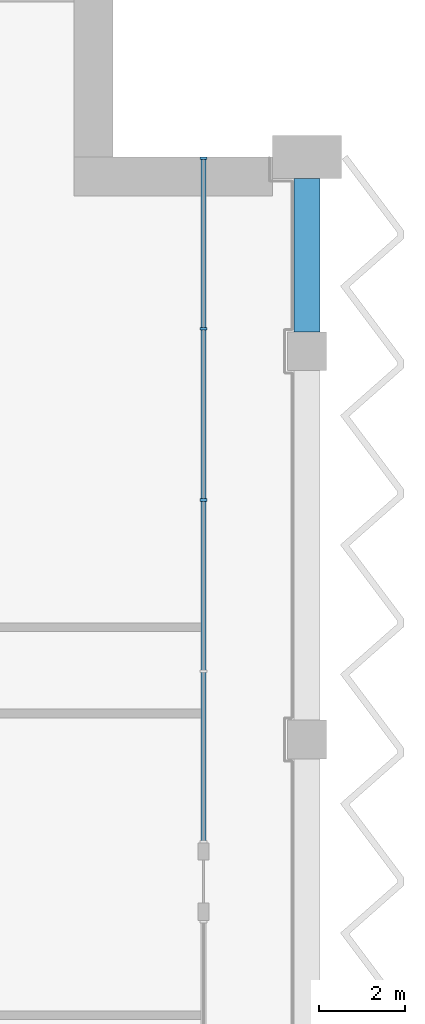
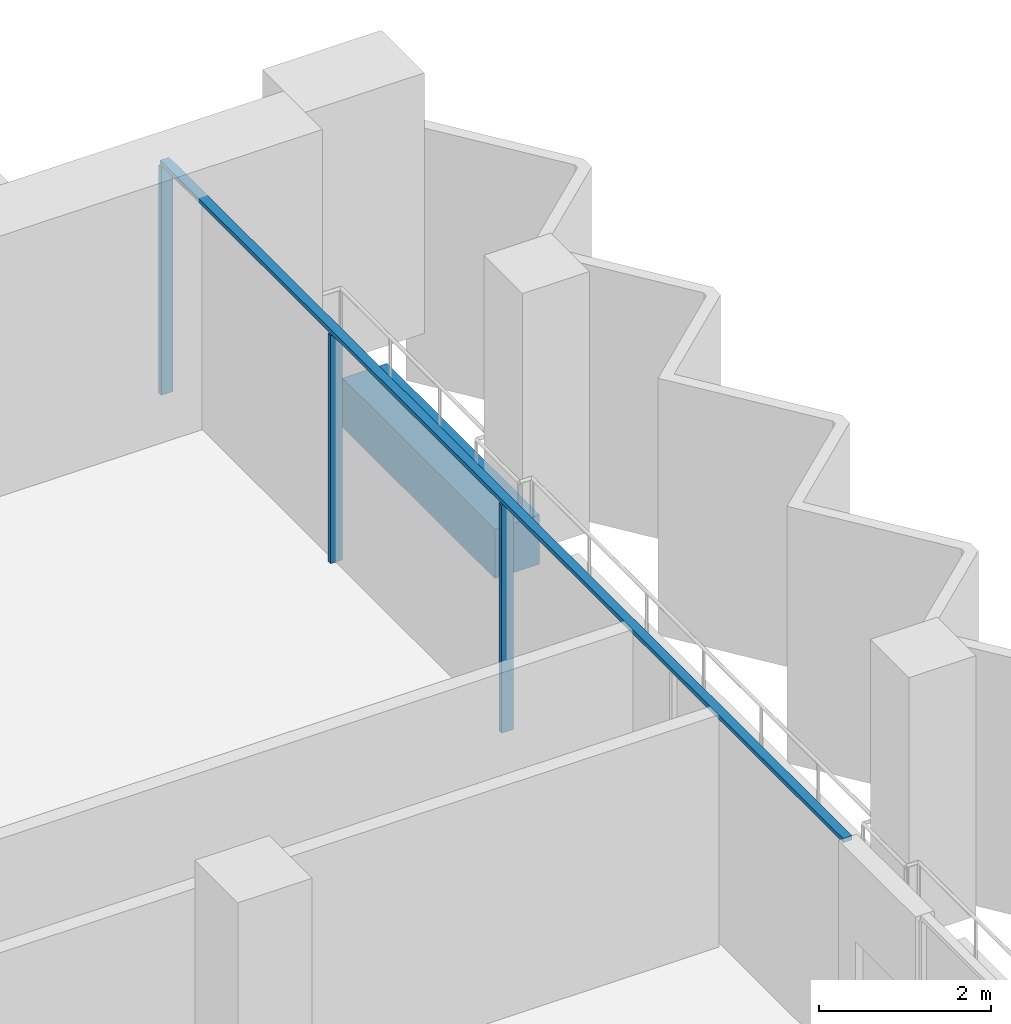
# One storey, part 5 of 16: 4 members, 1 beam, 1 element without a shape of its own.
"""IFC4 building model written with IfcOpenShell, lengths in metres."""

from ifc_helpers import new_model, si_unit, direction, frame, origin, origin_2d, place, context, subcontext, project, spatial, rectangle, extrude, material, material_profile, profile_set, type_object, element, aggregate, save


model = new_model("IFC4")

# Units and contexts
model_context = context("Model", 3, precision=1e-05, world=origin(), true_north=direction((0.0, 1.0)))
body_context = subcontext(model_context, "Body", "Model", "MODEL_VIEW")
ifc_project = project(units=[si_unit("LENGTHUNIT", "METRE"), si_unit("AREAUNIT", "SQUARE_METRE"), si_unit("VOLUMEUNIT", "CUBIC_METRE"), si_unit("PLANEANGLEUNIT", "RADIAN"), si_unit("MASSUNIT", "GRAM", prefix="KILO")], contexts=[model_context])

# Site, building, storey
site_placement = place(None, origin())
site = spatial("IfcSite", under=ifc_project, at=site_placement, CompositionType="ELEMENT")
building_placement = place(site_placement, origin())
building = spatial("IfcBuilding", under=site, at=building_placement, Name="Hunhe Ridgeline Campus", CompositionType="ELEMENT")
storey_placement = place(building_placement, frame((0.0, 0.0, 246.60009765625)))
storey = spatial("IfcBuildingStorey", under=building, at=storey_placement, Name="L63", CompositionType="ELEMENT", Elevation=246.60009765625)

# Curtain wall, members
ifc_material_1 = material(Name="Aluminium 6063", Category="aluminium")
curtain_wall_type = type_object("IfcCurtainWallType", Name="Curtain wall CW-1", PredefinedType="NOTDEFINED", material=ifc_material_1)
curtain_wall_placement = place(storey_placement, origin())
curtain_wall = element("IfcCurtainWall", 1, at=curtain_wall_placement, inside=storey, type_object=curtain_wall_type, Name="Curtain wall 13", PredefinedType="NOTDEFINED")
ifc_material_profile_1 = material_profile(ifc_material_1, rectangle(XDim=0.159912109375, YDim=0.06005859375, at=origin_2d()))
ifc_profile_set_1 = profile_set([ifc_material_profile_1], Name="Aluminium 6063")
member_type_1 = type_object("IfcMemberType", Name="CW-1 aluminium mullion", PredefinedType="MULLION", material=ifc_profile_set_1)
member_1_placement = place(storey_placement, frame((51.59912109375, 86.55029296875, 0.0), z_axis=(0.0, 0.0, 1.0), x_axis=(-1.0, 0.0, 0.0)))
member_1 = element("IfcMember", 2, at=member_1_placement, type_object=member_type_1, Name="CW-1 mullion 3", PredefinedType="MULLION", context=body_context, shape_type="SweptSolid", body=[
    extrude(rectangle(XDim=0.159912109375, YDim=0.06005859375, at=origin_2d()), origin(), (0.0, 0.0, 1.0), 3.239990234375),
])
member_2_placement = place(storey_placement, frame((51.59912109375, 90.525146484375, 0.0), z_axis=(0.0, 0.0, 1.0), x_axis=(-1.0, 0.0, 0.0)))
member_2 = element("IfcMember", 3, at=member_2_placement, type_object=member_type_1, Name="CW-1 mullion 4", PredefinedType="MULLION", context=body_context, shape_type="SweptSolid", body=[
    extrude(rectangle(XDim=0.159912109375, YDim=0.06005859375, at=origin_2d()), origin(), (0.0, 0.0, 1.0), 3.239990234375),
])
member_3_placement = place(storey_placement, frame((51.59912109375, 94.469970703125, 0.0), z_axis=(0.0, 0.0, 1.0), x_axis=(-1.0, 0.0, 0.0)))
member_3 = element("IfcMember", 4, at=member_3_placement, type_object=member_type_1, Name="CW-1 mullion 5", PredefinedType="MULLION", context=body_context, shape_type="SweptSolid", body=[
    extrude(rectangle(XDim=0.159912109375, YDim=0.06005859375, at=origin_2d()), origin(), (0.0, 0.0, 1.0), 3.239990234375),
])
ifc_material_profile_2 = material_profile(ifc_material_1, rectangle(XDim=0.1201171875, YDim=0.06005859375, at=origin_2d()))
ifc_profile_set_2 = profile_set([ifc_material_profile_2], Name="Aluminium 6063")
member_type_2 = type_object("IfcMemberType", Name="CW-1 aluminium transom", PredefinedType="USERDEFINED", material=ifc_profile_set_2)
member_4_placement = place(storey_placement, frame((51.59912109375, 78.6005859375, 3.27001953125), z_axis=(0.0, 1.0, 0.0), x_axis=(-1.0, 0.0, 0.0)))
member_4 = element("IfcMember", 5, at=member_4_placement, type_object=member_type_2, Name="CW-1 transom 1", ObjectType="TRANSOM", PredefinedType="USERDEFINED", context=body_context, shape_type="SweptSolid", body=[
    extrude(rectangle(XDim=0.1201171875, YDim=0.06005859375, at=origin_2d()), origin(), (0.0, 0.0, 1.0), 15.8994140625),
])
aggregate(curtain_wall, [member_4, member_1, member_2, member_3])

# Beam
ifc_material_2 = material(Name="Concrete C50", Category="concrete")
ifc_material_profile_3 = material_profile(ifc_material_2, rectangle(XDim=0.60009765625, YDim=0.699951171875, at=origin_2d()))
ifc_profile_set_3 = profile_set([ifc_material_profile_3], Name="Concrete C50")
beam_type = type_object("IfcBeamType", Name="RC spandrel beam 600x700 Concrete C50", PredefinedType="SPANDREL", material=ifc_profile_set_3)
beam_placement = place(storey_placement, frame((54.0, 90.449951171875, -0.60009765625), z_axis=(0.0, 1.0, 0.0), x_axis=(-1.0, 0.0, 0.0)))
element("IfcBeam", 6, at=beam_placement, inside=storey, type_object=beam_type, Name="Spandrel beam B4-17 L63", PredefinedType="SPANDREL", context=body_context, shape_type="SweptSolid", body=[
    extrude(rectangle(XDim=0.60009765625, YDim=0.699951171875, at=origin_2d()), origin(), (0.0, 0.0, 1.0), 3.550048828125),
])

save(model, "model.ifc")
